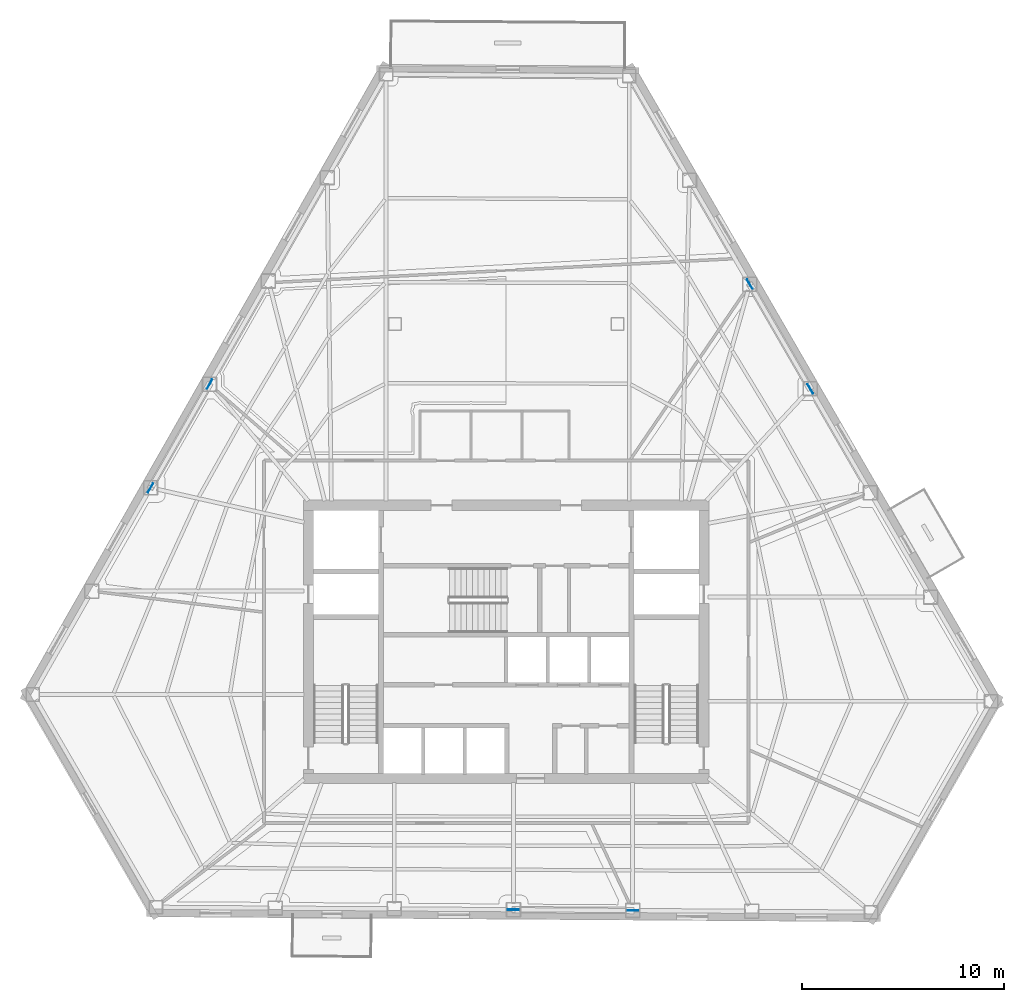
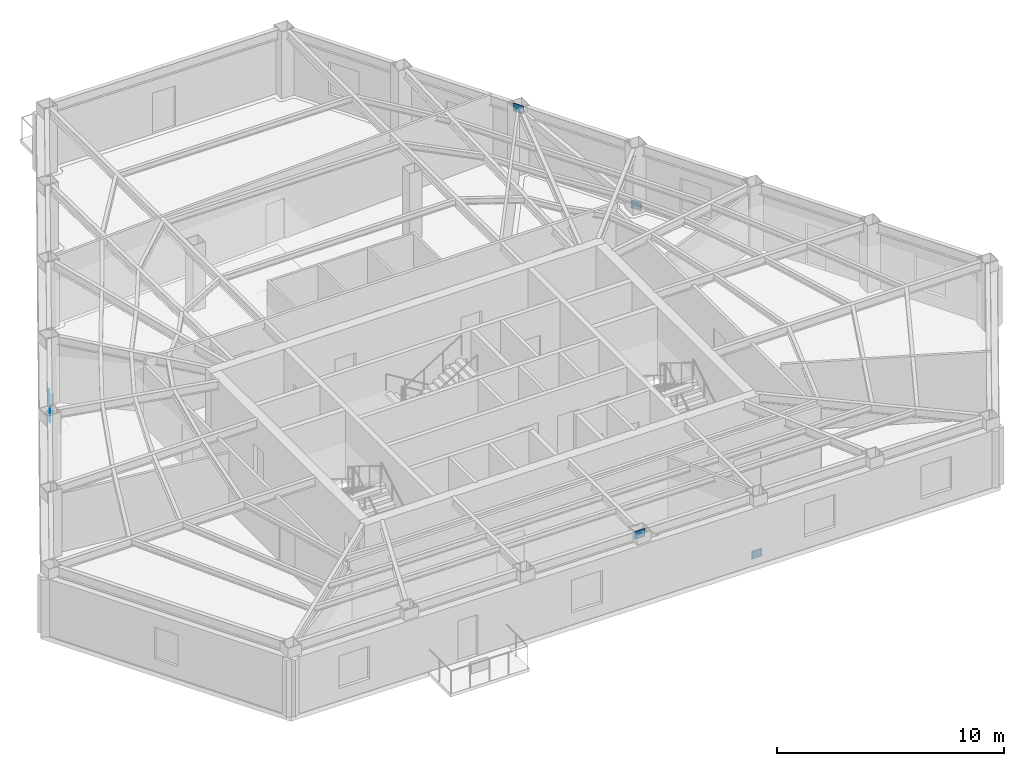
# One storey, part 4 of 9: 6 plates.
"""IFC4 building model written with IfcOpenShell, lengths in metres."""

from ifc_helpers import new_model, si_unit, direction, frame, origin, origin_2d, place, context, subcontext, project, spatial, rectangle, extrude, material, layer, layer_set, type_object, element, save


model = new_model("IFC4")

# Units and contexts
model_context = context("Model", 3, precision=1e-05, world=origin(), true_north=direction((0.0, 1.0)))
body_context = subcontext(model_context, "Body", "Model", "MODEL_VIEW")
ifc_project = project(units=[si_unit("LENGTHUNIT", "METRE"), si_unit("AREAUNIT", "SQUARE_METRE"), si_unit("VOLUMEUNIT", "CUBIC_METRE"), si_unit("PLANEANGLEUNIT", "RADIAN"), si_unit("MASSUNIT", "GRAM", prefix="KILO")], contexts=[model_context])

# Site, building, storey
site_placement = place(None, origin())
site = spatial("IfcSite", under=ifc_project, at=site_placement, CompositionType="ELEMENT")
building_placement = place(site_placement, origin())
building = spatial("IfcBuilding", under=site, at=building_placement, Name="Kavelnor Concourse Tower", CompositionType="ELEMENT")
storey_placement = place(building_placement, frame((0.0, 0.0, 112.449951171875)))
storey = spatial("IfcBuildingStorey", under=building, at=storey_placement, Name="L28", CompositionType="ELEMENT", Elevation=112.449951171875)

# Plates
ifc_material = material(Name="Steel Grade 350", Category="steel")
ifc_layer = layer(ifc_material, 0.031982421875, Name="Steel Grade 350")
ifc_layer_set = layer_set([ifc_layer], Name="Steel Grade 350")
plate_type = type_object("IfcPlateType", Name="PL-GUSSET-TUBE-Z1", PredefinedType="USERDEFINED", material=ifc_layer_set)
for number, where, z_axis, x_axis, name in (
    (1, (23.347412109375, 28.831787109375, 0.010009765625), (0.0, 0.0, 1.0), (-0.494852128545, -0.868977198133, 0.0), "L28 Tube Brace Gusset GP3 F0-B3 End Gusset A"),
    (2, (20.426513671875, 23.703125, 3.12353515625), (0.0, 0.0, 1.0), (-0.494852128545, -0.868977198133, 0.0), "L28 Tube Brace Gusset GP3 F0-B3 End Gusset B"),
    (3, (44.261474609375, 2.82470703125, 0.010009765625), (0.0, 0.0, 1.0), (-0.999976833935, 0.006806731521, 0.0), "L28 Tube Brace Gusset GP3 F1-B3 End Gusset A"),
    (4, (38.349365234375, 2.865234375, 3.12353515625), (0.0, 0.0, 1.0), (-0.999976833935, 0.006806731521, 0.0), "L28 Tube Brace Gusset GP3 F1-B3 End Gusset B"),
    (5, (53.02587890625, 28.602294921875, 0.010009765625), (0.0, 0.0, 1.0), (-0.500755559253, 0.865588741769, 0.0), "L28 Tube Brace Gusset GP3 F2-B3 End Gusset A"),
    (6, (50.033935546875, 33.773193359375, 3.12353515625), (0.0, 0.0, 1.0), (-0.500755559253, 0.865588741769, 0.0), "L28 Tube Brace Gusset GP3 F2-B3 End Gusset B"),
):
    element("IfcPlate", number, at=place(storey_placement, frame(where, z_axis=z_axis, x_axis=x_axis)), inside=storey, type_object=plate_type, Name=name, ObjectType="GUSSET_PLATE", PredefinedType="USERDEFINED", context=body_context, shape_type="SweptSolid", body=[
        extrude(rectangle(XDim=0.52001953125, YDim=0.031982421875, at=origin_2d()), origin(), (0.0, 0.0, 1.0), 0.419921875),
    ])

save(model, "model.ifc")
